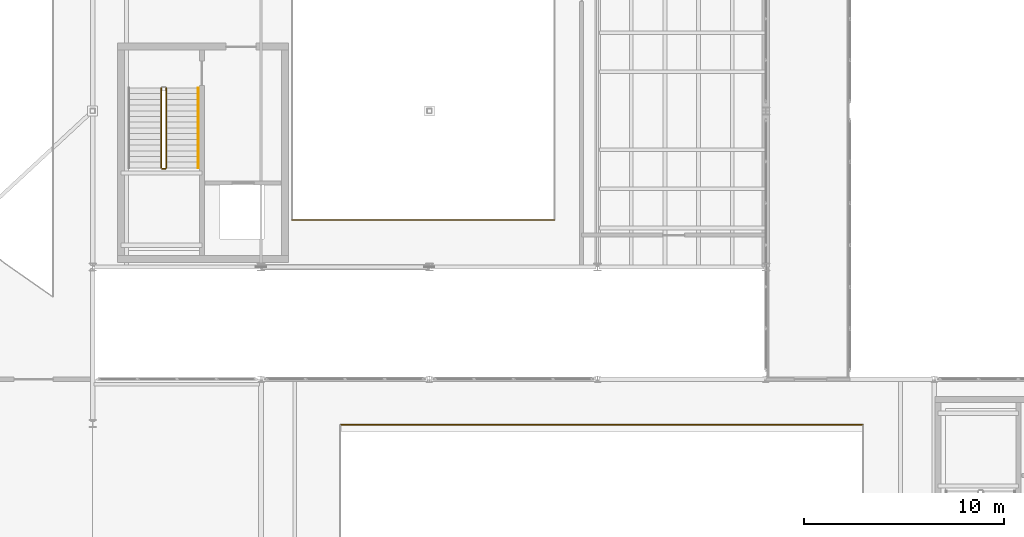
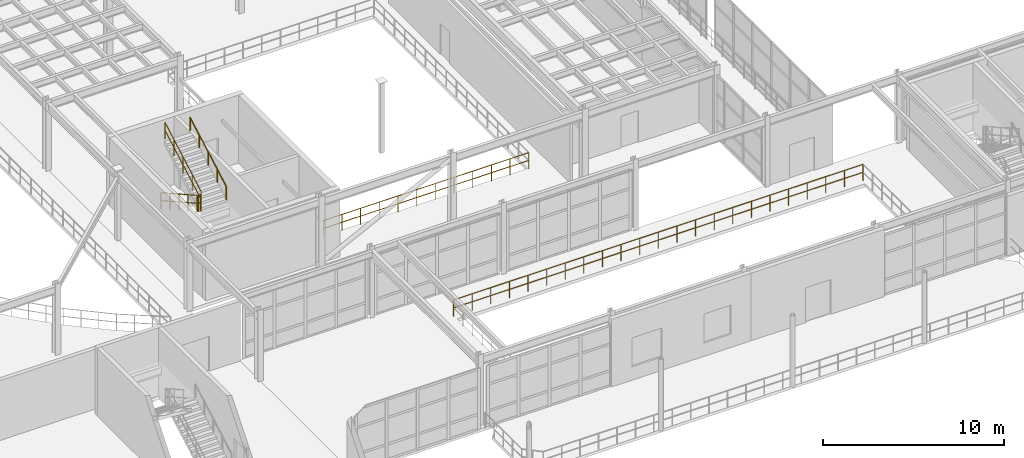
# One storey, part 108 of 116: 6 railings.
"""IFC4 building model written with IfcOpenShell, lengths in metres."""

from ifc_helpers import new_model, si_unit, direction, frame, origin, origin_2d, place, context, subcontext, project, spatial, circle, extrude, material, layer, layer_set, type_object, element, save


model = new_model("IFC4")

# Units and contexts
model_context = context("Model", 3, precision=1e-05, world=origin(), true_north=direction((0.0, 1.0)))
body_context = subcontext(model_context, "Body", "Model", "MODEL_VIEW")
ifc_project = project(units=[si_unit("LENGTHUNIT", "METRE"), si_unit("AREAUNIT", "SQUARE_METRE"), si_unit("VOLUMEUNIT", "CUBIC_METRE"), si_unit("PLANEANGLEUNIT", "RADIAN"), si_unit("MASSUNIT", "GRAM", prefix="KILO")], contexts=[model_context])

# Site, building, storey
site_placement = place(None, origin())
site = spatial("IfcSite", under=ifc_project, at=site_placement, CompositionType="ELEMENT")
building_placement = place(site_placement, origin())
building = spatial("IfcBuilding", under=site, at=building_placement, Name="Selat Folded Stagehouse", CompositionType="ELEMENT")
storey_placement = place(building_placement, frame((0.0, 0.0, 5.39990234375)))
storey = spatial("IfcBuildingStorey", under=building, at=storey_placement, Name="L01", CompositionType="ELEMENT", Elevation=5.39990234375)

# Railings
ifc_material_1 = material(Name="Bronze-anodised steel balustrade", Category="steel")
ifc_layer_1 = layer(ifc_material_1, 0.06494140625)
ifc_layer_set_1 = layer_set([ifc_layer_1], Name="Bronze-anodised steel balustrade")
railing_type_1 = type_object("IfcRailingType", Name="RLG-BAL-1120", PredefinedType="BALUSTRADE", material=ifc_layer_set_1)
railing_1_placement = place(storey_placement, frame((72.050048828125, 15.52001953125, 0.0)))
element("IfcRailing", 1, at=railing_1_placement, inside=storey, type_object=railing_type_1, Name="L01 protective guard railing 036", PredefinedType="BALUSTRADE", context=body_context, shape_type="SweptSolid", body=[
    extrude(circle(Radius=0.02392578125, at=origin_2d()), frame((0.0, 0.0, 1.09619140625), z_axis=(-1.0, 0.0, 0.0), x_axis=(0.0, -1.0, 0.0)), (0.0, 0.0, 1.0), 26.10009765625),
    extrude(circle(Radius=0.02392578125, at=origin_2d()), frame((0.0, 0.0, 0.56005859375), z_axis=(-1.0, 0.0, 0.0), x_axis=(0.0, -1.0, 0.0)), (0.0, 0.0, 1.0), 26.10009765625),
    extrude(circle(Radius=0.02099609375, at=origin_2d()), origin(), (0.0, 0.0, 1.0), 1.072021484375),
    extrude(circle(Radius=0.02099609375, at=origin_2d()), frame((-1.186279296875, 0.0, 0.0)), (0.0, 0.0, 1.0), 1.072021484375),
    extrude(circle(Radius=0.02099609375, at=origin_2d()), frame((-2.372802734375, 0.0, 0.0)), (0.0, 0.0, 1.0), 1.072021484375),
    extrude(circle(Radius=0.02099609375, at=origin_2d()), frame((-3.55908203125, 0.0, 0.0)), (0.0, 0.0, 1.0), 1.072021484375),
    extrude(circle(Radius=0.02099609375, at=origin_2d()), frame((-4.745361328125, 0.0, 0.0)), (0.0, 0.0, 1.0), 1.072021484375),
    extrude(circle(Radius=0.02099609375, at=origin_2d()), frame((-5.931884765625, 0.0, 0.0)), (0.0, 0.0, 1.0), 1.072021484375),
    extrude(circle(Radius=0.02099609375, at=origin_2d()), frame((-7.1181640625, 0.0, 0.0)), (0.0, 0.0, 1.0), 1.072021484375),
    extrude(circle(Radius=0.02099609375, at=origin_2d()), frame((-8.3046875, 0.0, 0.0)), (0.0, 0.0, 1.0), 1.072021484375),
    extrude(circle(Radius=0.02099609375, at=origin_2d()), frame((-9.490966796875, 0.0, 0.0)), (0.0, 0.0, 1.0), 1.072021484375),
    extrude(circle(Radius=0.02099609375, at=origin_2d()), frame((-10.67724609375, 0.0, 0.0)), (0.0, 0.0, 1.0), 1.072021484375),
    extrude(circle(Radius=0.02099609375, at=origin_2d()), frame((-11.86376953125, 0.0, 0.0)), (0.0, 0.0, 1.0), 1.072021484375),
    extrude(circle(Radius=0.02099609375, at=origin_2d()), frame((-13.050048828125, 0.0, 0.0)), (0.0, 0.0, 1.0), 1.072021484375),
    extrude(circle(Radius=0.02099609375, at=origin_2d()), frame((-14.236328125, 0.0, 0.0)), (0.0, 0.0, 1.0), 1.072021484375),
    extrude(circle(Radius=0.02099609375, at=origin_2d()), frame((-15.4228515625, 0.0, 0.0)), (0.0, 0.0, 1.0), 1.072021484375),
    extrude(circle(Radius=0.02099609375, at=origin_2d()), frame((-16.609130859375, 0.0, 0.0)), (0.0, 0.0, 1.0), 1.072021484375),
    extrude(circle(Radius=0.02099609375, at=origin_2d()), frame((-17.79541015625, 0.0, 0.0)), (0.0, 0.0, 1.0), 1.072021484375),
    extrude(circle(Radius=0.02099609375, at=origin_2d()), frame((-18.98193359375, 0.0, 0.0)), (0.0, 0.0, 1.0), 1.072021484375),
    extrude(circle(Radius=0.02099609375, at=origin_2d()), frame((-20.168212890625, 0.0, 0.0)), (0.0, 0.0, 1.0), 1.072021484375),
    extrude(circle(Radius=0.02099609375, at=origin_2d()), frame((-21.354736328125, 0.0, 0.0)), (0.0, 0.0, 1.0), 1.072021484375),
    extrude(circle(Radius=0.02099609375, at=origin_2d()), frame((-22.541015625, 0.0, 0.0)), (0.0, 0.0, 1.0), 1.072021484375),
    extrude(circle(Radius=0.02099609375, at=origin_2d()), frame((-23.727294921875, 0.0, 0.0)), (0.0, 0.0, 1.0), 1.072021484375),
    extrude(circle(Radius=0.02099609375, at=origin_2d()), frame((-24.913818359375, 0.0, 0.0)), (0.0, 0.0, 1.0), 1.072021484375),
    extrude(circle(Radius=0.02099609375, at=origin_2d()), frame((-26.10009765625, 0.0, 0.0)), (0.0, 0.0, 1.0), 1.072021484375),
])
railing_2_placement = place(storey_placement, frame((37.010009765625, 32.340087890625, 0.16015625)))
element("IfcRailing", 2, at=railing_2_placement, inside=storey, type_object=railing_type_1, Name="L01 ST-01 stair well guard 1", PredefinedType="BALUSTRADE", context=body_context, shape_type="SweptSolid", body=[
    extrude(circle(Radius=0.02392578125, at=origin_2d()), frame((0.0, 0.0, 1.09619140625), z_axis=(0.0, -0.871984184956, 0.489534044972), x_axis=(1.0, 0.0, 0.0)), (0.0, 0.0, 1.0), 4.57568359375),
    extrude(circle(Radius=0.02392578125, at=origin_2d()), frame((0.0, 0.0, 0.56005859375), z_axis=(0.0, -0.871984184956, 0.489534044972), x_axis=(1.0, 0.0, 0.0)), (0.0, 0.0, 1.0), 4.57568359375),
    extrude(circle(Radius=0.02099609375, at=origin_2d()), origin(), (0.0, 0.0, 1.0), 1.072021484375),
    extrude(circle(Radius=0.02099609375, at=origin_2d()), frame((0.0, -0.99755859375, 0.56005859375)), (0.0, 0.0, 1.0), 1.072021484375),
    extrude(circle(Radius=0.02099609375, at=origin_2d()), frame((0.0, -1.9951171875, 1.1201171875)), (0.0, 0.0, 1.0), 1.072021484375),
    extrude(circle(Radius=0.02099609375, at=origin_2d()), frame((0.0, -2.992431640625, 1.679931640625)), (0.0, 0.0, 1.0), 1.072021484375),
    extrude(circle(Radius=0.02099609375, at=origin_2d()), frame((0.0, -3.989990234375, 2.239990234375)), (0.0, 0.0, 1.0), 1.072021484375),
])
railing_3_placement = place(storey_placement, frame((37.06005859375, 28.300048828125, 2.400146484375)))
element("IfcRailing", 3, at=railing_3_placement, inside=storey, type_object=railing_type_1, Name="L01 ST-01 stair well guard 2", PredefinedType="BALUSTRADE", context=body_context, shape_type="SweptSolid", body=[
    extrude(circle(Radius=0.02392578125, at=origin_2d()), frame((0.0, 0.0, 1.09619140625), z_axis=(1.0, 0.0, 0.0), x_axis=(0.0, 1.0, 0.0)), (0.0, 0.0, 1.0), 0.159912109375),
    extrude(circle(Radius=0.02392578125, at=origin_2d()), frame((0.0, 0.0, 0.56005859375), z_axis=(1.0, 0.0, 0.0), x_axis=(0.0, 1.0, 0.0)), (0.0, 0.0, 1.0), 0.159912109375),
    extrude(circle(Radius=0.02099609375, at=origin_2d()), origin(), (0.0, 0.0, 1.0), 1.072021484375),
    extrude(circle(Radius=0.02099609375, at=origin_2d()), frame((0.159912109375, 0.0, 0.0)), (0.0, 0.0, 1.0), 1.072021484375),
])
railing_4_placement = place(storey_placement, frame((37.27001953125, 28.35009765625, 2.56005859375)))
element("IfcRailing", 4, at=railing_4_placement, inside=storey, type_object=railing_type_1, Name="L01 ST-01 stair well guard 3", PredefinedType="BALUSTRADE", context=body_context, shape_type="SweptSolid", body=[
    extrude(circle(Radius=0.02392578125, at=origin_2d()), frame((0.0, 0.0, 1.09619140625), z_axis=(0.0, 0.871984184956, 0.489534044972), x_axis=(-1.0, 0.0, 0.0)), (0.0, 0.0, 1.0), 4.57568359375),
    extrude(circle(Radius=0.02392578125, at=origin_2d()), frame((0.0, 0.0, 0.56005859375), z_axis=(0.0, 0.871984184956, 0.489534044972), x_axis=(-1.0, 0.0, 0.0)), (0.0, 0.0, 1.0), 4.57568359375),
    extrude(circle(Radius=0.02099609375, at=origin_2d()), origin(), (0.0, 0.0, 1.0), 1.072021484375),
    extrude(circle(Radius=0.02099609375, at=origin_2d()), frame((0.0, 0.99755859375, 0.56005859375)), (0.0, 0.0, 1.0), 1.072021484375),
    extrude(circle(Radius=0.02099609375, at=origin_2d()), frame((0.0, 1.9951171875, 1.1201171875)), (0.0, 0.0, 1.0), 1.072021484375),
    extrude(circle(Radius=0.02099609375, at=origin_2d()), frame((0.0, 2.992431640625, 1.679931640625)), (0.0, 0.0, 1.0), 1.072021484375),
    extrude(circle(Radius=0.02099609375, at=origin_2d()), frame((0.0, 3.989990234375, 2.239990234375)), (0.0, 0.0, 1.0), 1.072021484375),
])
ifc_material_2 = material(Name="Stainless steel and laminated glass", Category="steel")
ifc_layer_2 = layer(ifc_material_2, 0.06005859375)
ifc_layer_set_2 = layer_set([ifc_layer_2], Name="Stainless steel and laminated glass")
railing_type_2 = type_object("IfcRailingType", Name="RLG-GUARD-1100", PredefinedType="GUARDRAIL", material=ifc_layer_set_2)
railing_5_placement = place(storey_placement, frame((43.550048828125, 25.75, 0.0)))
element("IfcRailing", 5, at=railing_5_placement, inside=storey, type_object=railing_type_2, Name="L01 protective guard railing 054", PredefinedType="GUARDRAIL", context=body_context, shape_type="SweptSolid", body=[
    extrude(circle(Radius=0.02392578125, at=origin_2d()), frame((0.0, 0.0, 1.076171875), z_axis=(1.0, 0.0, 0.0), x_axis=(0.0, 1.0, 0.0)), (0.0, 0.0, 1.0), 13.099853515625),
    extrude(circle(Radius=0.02392578125, at=origin_2d()), frame((0.0, 0.0, 0.550048828125), z_axis=(1.0, 0.0, 0.0), x_axis=(0.0, 1.0, 0.0)), (0.0, 0.0, 1.0), 13.099853515625),
    extrude(circle(Radius=0.02099609375, at=origin_2d()), origin(), (0.0, 0.0, 1.0), 1.052001953125),
    extrude(circle(Radius=0.02099609375, at=origin_2d()), frame((1.19091796875, 0.0, 0.0)), (0.0, 0.0, 1.0), 1.052001953125),
    extrude(circle(Radius=0.02099609375, at=origin_2d()), frame((2.3818359375, 0.0, 0.0)), (0.0, 0.0, 1.0), 1.052001953125),
    extrude(circle(Radius=0.02099609375, at=origin_2d()), frame((3.57275390625, 0.0, 0.0)), (0.0, 0.0, 1.0), 1.052001953125),
    extrude(circle(Radius=0.02099609375, at=origin_2d()), frame((4.763671875, 0.0, 0.0)), (0.0, 0.0, 1.0), 1.052001953125),
    extrude(circle(Radius=0.02099609375, at=origin_2d()), frame((5.95458984375, 0.0, 0.0)), (0.0, 0.0, 1.0), 1.052001953125),
    extrude(circle(Radius=0.02099609375, at=origin_2d()), frame((7.145263671875, 0.0, 0.0)), (0.0, 0.0, 1.0), 1.052001953125),
    extrude(circle(Radius=0.02099609375, at=origin_2d()), frame((8.336181640625, 0.0, 0.0)), (0.0, 0.0, 1.0), 1.052001953125),
    extrude(circle(Radius=0.02099609375, at=origin_2d()), frame((9.527099609375, 0.0, 0.0)), (0.0, 0.0, 1.0), 1.052001953125),
    extrude(circle(Radius=0.02099609375, at=origin_2d()), frame((10.718017578125, 0.0, 0.0)), (0.0, 0.0, 1.0), 1.052001953125),
    extrude(circle(Radius=0.02099609375, at=origin_2d()), frame((11.908935546875, 0.0, 0.0)), (0.0, 0.0, 1.0), 1.052001953125),
    extrude(circle(Radius=0.02099609375, at=origin_2d()), frame((13.099853515625, 0.0, 0.0)), (0.0, 0.0, 1.0), 1.052001953125),
])
ifc_material_3 = material(Name="Brushed stainless steel 1.4301", Category="steel")
ifc_layer_3 = layer(ifc_material_3, 0.048095703125)
ifc_layer_set_3 = layer_set([ifc_layer_3], Name="Brushed stainless steel 1.4301")
railing_type_3 = type_object("IfcRailingType", Name="RLG-HANDRAIL-900", PredefinedType="HANDRAIL", material=ifc_layer_set_3)
railing_6_placement = place(storey_placement, frame((38.8701171875, 28.35009765625, 2.56005859375)))
element("IfcRailing", 6, at=railing_6_placement, inside=storey, type_object=railing_type_3, Name="L01 ST-01 wall handrail 2", PredefinedType="HANDRAIL", context=body_context, shape_type="SweptSolid", body=[
    extrude(circle(Radius=0.02392578125, at=origin_2d()), frame((0.0, 0.0, 0.8759765625), z_axis=(0.0, 0.871984184956, 0.489534044972), x_axis=(-1.0, 0.0, 0.0)), (0.0, 0.0, 1.0), 4.57568359375),
    extrude(circle(Radius=0.02099609375, at=origin_2d()), origin(), (0.0, 0.0, 1.0), 0.851806640625),
    extrude(circle(Radius=0.02099609375, at=origin_2d()), frame((0.0, 0.99755859375, 0.56005859375)), (0.0, 0.0, 1.0), 0.851806640625),
    extrude(circle(Radius=0.02099609375, at=origin_2d()), frame((0.0, 1.9951171875, 1.1201171875)), (0.0, 0.0, 1.0), 0.851806640625),
    extrude(circle(Radius=0.02099609375, at=origin_2d()), frame((0.0, 2.992431640625, 1.679931640625)), (0.0, 0.0, 1.0), 0.851806640625),
    extrude(circle(Radius=0.02099609375, at=origin_2d()), frame((0.0, 3.989990234375, 2.239990234375)), (0.0, 0.0, 1.0), 0.851806640625),
])

save(model, "model.ifc")
